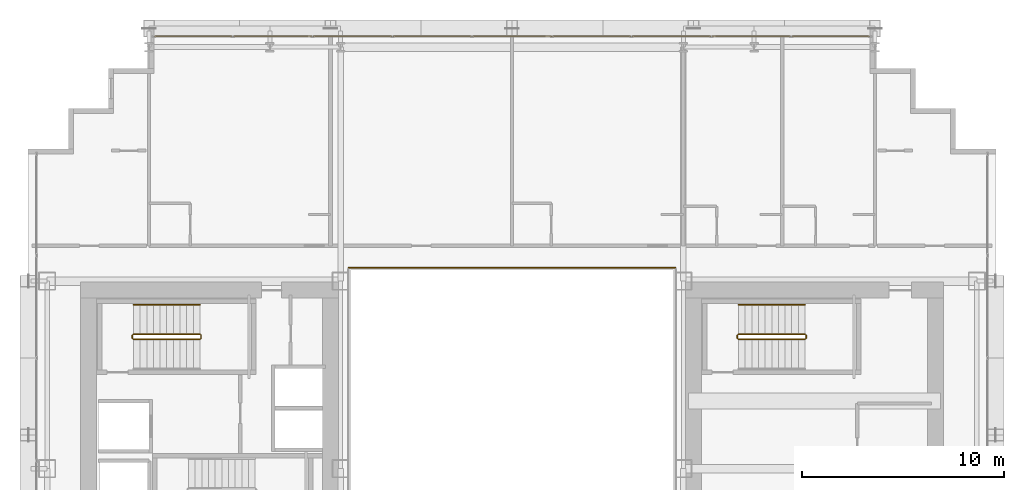
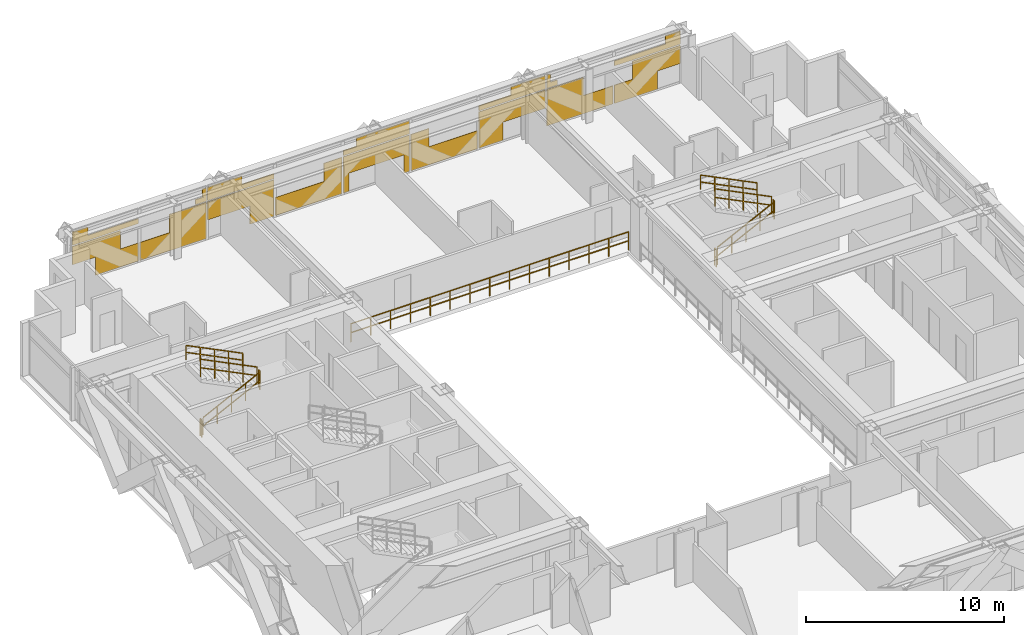
# One storey, part 35 of 35: 11 railings, 1 covering.
"""IFC4 building model written with IfcOpenShell, lengths in metres."""

from ifc_helpers import new_model, si_unit, direction, frame, origin, origin_2d, place, context, subcontext, project, spatial, rectangle, extrude, material, layer, layer_set, type_object, element, save


model = new_model("IFC4")

# Units and contexts
model_context = context("Model", 3, precision=1e-05, world=origin(), true_north=direction((0.0, 1.0)))
body_context = subcontext(model_context, "Body", "Model", "MODEL_VIEW")
ifc_project = project(units=[si_unit("LENGTHUNIT", "METRE"), si_unit("AREAUNIT", "SQUARE_METRE"), si_unit("VOLUMEUNIT", "CUBIC_METRE"), si_unit("PLANEANGLEUNIT", "RADIAN"), si_unit("MASSUNIT", "GRAM", prefix="KILO")], contexts=[model_context])

# Site, building, storey
site_placement = place(None, origin())
site = spatial("IfcSite", under=ifc_project, at=site_placement, CompositionType="ELEMENT")
building_placement = place(site_placement, origin())
building = spatial("IfcBuilding", under=site, at=building_placement, Name="Ocotamira Hotel", CompositionType="ELEMENT")
storey_placement = place(building_placement, frame((0.0, 0.0, 81.60009765625)))
storey = spatial("IfcBuildingStorey", under=building, at=storey_placement, Name="L20", CompositionType="ELEMENT", Elevation=81.60009765625)

# Covering
ifc_material_1 = material(Name="Insulated pale-metal aluminium spandrel panel", Category="aluminium")
ifc_layer = layer(ifc_material_1, 0.044921875)
ifc_layer_set = layer_set([ifc_layer], Name="Insulated pale-metal aluminium spandrel panel")
covering_type = type_object("IfcCoveringType", Name="COV-INFILL-45", PredefinedType="CLADDING", material=ifc_layer_set)
covering_placement = place(storey_placement, origin())
element("IfcCovering", 1, at=covering_placement, inside=storey, type_object=covering_type, Name="L20 Curtain Wall Infill CW-2 CW-L20-N", PredefinedType="CLADDING", context=body_context, shape_type="SweptSolid", body=[
    extrude(rectangle(XDim=2.788818359375, YDim=0.044921875, at=origin_2d()), frame((15.675048828125, 49.580078125, 1.194091796875), z_axis=(0.0, 0.0, 1.0), x_axis=(1.0, 0.0, 0.0)), (0.0, 0.0, 1.0), 1.11767578125),
    extrude(rectangle(XDim=2.502685546875, YDim=0.044921875, at=origin_2d()), frame((16.863525390625, 49.580078125, 0.0751953125), z_axis=(0.0, 0.0, 1.0), x_axis=(1.0, 0.0, 0.0)), (0.0, 0.0, 1.0), 1.117919921875),
    extrude(rectangle(XDim=3.834716796875, YDim=0.044921875, at=origin_2d()), frame((16.19775390625, 49.580078125, 2.3876953125), z_axis=(0.0, 0.0, 1.0), x_axis=(1.0, 0.0, 0.0)), (0.0, 0.0, 1.0), 0.302978515625),
    extrude(rectangle(XDim=0.8798828125, YDim=0.044921875, at=origin_2d()), frame((14.720458984375, 49.580078125, 2.691650390625), z_axis=(0.0, 0.0, 1.0), x_axis=(1.0, 0.0, 0.0)), (0.0, 0.0, 1.0), 0.5126953125),
    extrude(rectangle(XDim=3.87451171875, YDim=0.044921875, at=origin_2d()), frame((20.13330078125, 49.580078125, 0.0751953125), z_axis=(0.0, 0.0, 1.0), x_axis=(1.0, 0.0, 0.0)), (0.0, 0.0, 1.0), 1.117919921875),
    extrude(rectangle(XDim=2.139892578125, YDim=0.044921875, at=origin_2d()), frame((21.00048828125, 49.580078125, 1.194091796875), z_axis=(0.0, 0.0, 1.0), x_axis=(1.0, 0.0, 0.0)), (0.0, 0.0, 1.0), 1.11767578125),
    extrude(rectangle(XDim=0.618408203125, YDim=0.044921875, at=origin_2d()), frame((21.761474609375, 49.580078125, 2.3876953125), z_axis=(0.0, 0.0, 1.0), x_axis=(1.0, 0.0, 0.0)), (0.0, 0.0, 1.0), 0.302978515625),
    extrude(rectangle(XDim=0.23095703125, YDim=0.044921875, at=origin_2d()), frame((21.955078125, 49.580078125, 2.691650390625), z_axis=(0.0, 0.0, 1.0), x_axis=(1.0, 0.0, 0.0)), (0.0, 0.0, 1.0), 0.5126953125),
    extrude(rectangle(XDim=3.87451171875, YDim=0.044921875, at=origin_2d()), frame((24.0888671875, 49.580078125, 1.194091796875), z_axis=(0.0, 0.0, 1.0), x_axis=(1.0, 0.0, 0.0)), (0.0, 0.0, 1.0), 1.11767578125),
    extrude(rectangle(XDim=1.413818359375, YDim=0.044921875, at=origin_2d()), frame((25.319091796875, 49.580078125, 0.0751953125), z_axis=(0.0, 0.0, 1.0), x_axis=(1.0, 0.0, 0.0)), (0.0, 0.0, 1.0), 1.117919921875),
    extrude(rectangle(XDim=3.87451171875, YDim=0.044921875, at=origin_2d()), frame((24.0888671875, 49.580078125, 2.3876953125), z_axis=(0.0, 0.0, 1.0), x_axis=(1.0, 0.0, 0.0)), (0.0, 0.0, 1.0), 0.302978515625),
    extrude(rectangle(XDim=2.0087890625, YDim=0.044921875, at=origin_2d()), frame((23.156005859375, 49.580078125, 2.691650390625), z_axis=(0.0, 0.0, 1.0), x_axis=(1.0, 0.0, 0.0)), (0.0, 0.0, 1.0), 0.5126953125),
    extrude(rectangle(XDim=3.87451171875, YDim=0.044921875, at=origin_2d()), frame((28.04443359375, 49.580078125, 0.0751953125), z_axis=(0.0, 0.0, 1.0), x_axis=(1.0, 0.0, 0.0)), (0.0, 0.0, 1.0), 1.117919921875),
    extrude(rectangle(XDim=1.051025390625, YDim=0.044921875, at=origin_2d()), frame((29.4560546875, 49.580078125, 1.194091796875), z_axis=(0.0, 0.0, 1.0), x_axis=(1.0, 0.0, 0.0)), (0.0, 0.0, 1.0), 1.11767578125),
    extrude(rectangle(XDim=0.324951171875, YDim=0.044921875, at=origin_2d()), frame((30.22509765625, 49.580078125, 0.0751953125), z_axis=(0.0, 0.0, 1.0), x_axis=(1.0, 0.0, 0.0)), (0.0, 0.0, 1.0), 1.117919921875),
    extrude(rectangle(XDim=3.87451171875, YDim=0.044921875, at=origin_2d()), frame((32.0, 49.580078125, 1.194091796875), z_axis=(0.0, 0.0, 1.0), x_axis=(1.0, 0.0, 0.0)), (0.0, 0.0, 1.0), 1.11767578125),
    extrude(rectangle(XDim=0.324951171875, YDim=0.044921875, at=origin_2d()), frame((33.77490234375, 49.580078125, 0.0751953125), z_axis=(0.0, 0.0, 1.0), x_axis=(1.0, 0.0, 0.0)), (0.0, 0.0, 1.0), 1.117919921875),
    extrude(rectangle(XDim=3.87451171875, YDim=0.044921875, at=origin_2d()), frame((32.0, 49.580078125, 2.3876953125), z_axis=(0.0, 0.0, 1.0), x_axis=(1.0, 0.0, 0.0)), (0.0, 0.0, 1.0), 0.302978515625),
    extrude(rectangle(XDim=3.09765625, YDim=0.044921875, at=origin_2d()), frame((32.388427734375, 49.580078125, 2.691650390625), z_axis=(0.0, 0.0, 1.0), x_axis=(1.0, 0.0, 0.0)), (0.0, 0.0, 1.0), 0.5126953125),
    extrude(rectangle(XDim=3.87451171875, YDim=0.044921875, at=origin_2d()), frame((35.95556640625, 49.580078125, 0.0751953125), z_axis=(0.0, 0.0, 1.0), x_axis=(1.0, 0.0, 0.0)), (0.0, 0.0, 1.0), 1.117919921875),
    extrude(rectangle(XDim=1.051025390625, YDim=0.044921875, at=origin_2d()), frame((34.5439453125, 49.580078125, 1.194091796875), z_axis=(0.0, 0.0, 1.0), x_axis=(1.0, 0.0, 0.0)), (0.0, 0.0, 1.0), 1.11767578125),
    extrude(rectangle(XDim=1.413818359375, YDim=0.044921875, at=origin_2d()), frame((38.680908203125, 49.580078125, 0.0751953125), z_axis=(0.0, 0.0, 1.0), x_axis=(1.0, 0.0, 0.0)), (0.0, 0.0, 1.0), 1.117919921875),
    extrude(rectangle(XDim=3.87451171875, YDim=0.044921875, at=origin_2d()), frame((39.9111328125, 49.580078125, 1.194091796875), z_axis=(0.0, 0.0, 1.0), x_axis=(1.0, 0.0, 0.0)), (0.0, 0.0, 1.0), 1.11767578125),
    extrude(rectangle(XDim=3.87451171875, YDim=0.044921875, at=origin_2d()), frame((39.9111328125, 49.580078125, 2.3876953125), z_axis=(0.0, 0.0, 1.0), x_axis=(1.0, 0.0, 0.0)), (0.0, 0.0, 1.0), 0.302978515625),
    extrude(rectangle(XDim=2.0087890625, YDim=0.044921875, at=origin_2d()), frame((40.843994140625, 49.580078125, 2.691650390625), z_axis=(0.0, 0.0, 1.0), x_axis=(1.0, 0.0, 0.0)), (0.0, 0.0, 1.0), 0.5126953125),
    extrude(rectangle(XDim=3.87451171875, YDim=0.044921875, at=origin_2d()), frame((43.86669921875, 49.580078125, 0.0751953125), z_axis=(0.0, 0.0, 1.0), x_axis=(1.0, 0.0, 0.0)), (0.0, 0.0, 1.0), 1.117919921875),
    extrude(rectangle(XDim=2.139892578125, YDim=0.044921875, at=origin_2d()), frame((42.99951171875, 49.580078125, 1.194091796875), z_axis=(0.0, 0.0, 1.0), x_axis=(1.0, 0.0, 0.0)), (0.0, 0.0, 1.0), 1.11767578125),
    extrude(rectangle(XDim=0.618408203125, YDim=0.044921875, at=origin_2d()), frame((42.238525390625, 49.580078125, 2.3876953125), z_axis=(0.0, 0.0, 1.0), x_axis=(1.0, 0.0, 0.0)), (0.0, 0.0, 1.0), 0.302978515625),
    extrude(rectangle(XDim=0.23095703125, YDim=0.044921875, at=origin_2d()), frame((42.044921875, 49.580078125, 2.691650390625), z_axis=(0.0, 0.0, 1.0), x_axis=(1.0, 0.0, 0.0)), (0.0, 0.0, 1.0), 0.5126953125),
    extrude(rectangle(XDim=2.502685546875, YDim=0.044921875, at=origin_2d()), frame((47.136474609375, 49.580078125, 0.0751953125), z_axis=(0.0, 0.0, 1.0), x_axis=(1.0, 0.0, 0.0)), (0.0, 0.0, 1.0), 1.117919921875),
    extrude(rectangle(XDim=2.788818359375, YDim=0.044921875, at=origin_2d()), frame((48.324951171875, 49.580078125, 1.194091796875), z_axis=(0.0, 0.0, 1.0), x_axis=(1.0, 0.0, 0.0)), (0.0, 0.0, 1.0), 1.11767578125),
    extrude(rectangle(XDim=3.834716796875, YDim=0.044921875, at=origin_2d()), frame((47.80224609375, 49.580078125, 2.3876953125), z_axis=(0.0, 0.0, 1.0), x_axis=(1.0, 0.0, 0.0)), (0.0, 0.0, 1.0), 0.302978515625),
    extrude(rectangle(XDim=0.8798828125, YDim=0.044921875, at=origin_2d()), frame((49.279541015625, 49.580078125, 2.691650390625), z_axis=(0.0, 0.0, 1.0), x_axis=(1.0, 0.0, 0.0)), (0.0, 0.0, 1.0), 0.5126953125),
])

# Railings
ifc_material_2 = material(Name="Painted steel stair guardrail", Category="steel")
railing_type_1 = type_object("IfcRailingType", Name="RL-EDGE-1150", PredefinedType="GUARDRAIL", material=ifc_material_2)
railing_1_placement = place(storey_placement, frame((40.10009765625, 38.1201171875, 0.0)))
element("IfcRailing", 2, at=railing_1_placement, inside=storey, type_object=railing_type_1, Name="L20 Central Atrium Edge Guardrail N", PredefinedType="GUARDRAIL", context=body_context, shape_type="SweptSolid", body=[
    extrude(rectangle(XDim=0.048095703125, YDim=0.048095703125, at=origin_2d()), frame((0.0, 0.0, 1.1259765625), z_axis=(-1.0, 0.0, 0.0), x_axis=(0.0, -1.0, 0.0)), (0.0, 0.0, 1.0), 16.2001953125),
    extrude(rectangle(XDim=0.048095703125, YDim=0.048095703125, at=origin_2d()), frame((0.0, 0.0, 0.574951171875), z_axis=(-1.0, 0.0, 0.0), x_axis=(0.0, -1.0, 0.0)), (0.0, 0.0, 1.0), 16.2001953125),
    extrude(rectangle(XDim=0.0419921875, YDim=0.0419921875, at=origin_2d()), origin(), (0.0, 0.0, 1.0), 1.101806640625),
    extrude(rectangle(XDim=0.0419921875, YDim=0.0419921875, at=origin_2d()), frame((-1.1572265625, 0.0, 0.0)), (0.0, 0.0, 1.0), 1.101806640625),
    extrude(rectangle(XDim=0.0419921875, YDim=0.0419921875, at=origin_2d()), frame((-2.314208984375, 0.0, 0.0)), (0.0, 0.0, 1.0), 1.101806640625),
    extrude(rectangle(XDim=0.0419921875, YDim=0.0419921875, at=origin_2d()), frame((-3.471435546875, 0.0, 0.0)), (0.0, 0.0, 1.0), 1.101806640625),
    extrude(rectangle(XDim=0.0419921875, YDim=0.0419921875, at=origin_2d()), frame((-4.628662109375, 0.0, 0.0)), (0.0, 0.0, 1.0), 1.101806640625),
    extrude(rectangle(XDim=0.0419921875, YDim=0.0419921875, at=origin_2d()), frame((-5.785888671875, 0.0, 0.0)), (0.0, 0.0, 1.0), 1.101806640625),
    extrude(rectangle(XDim=0.0419921875, YDim=0.0419921875, at=origin_2d()), frame((-6.94287109375, 0.0, 0.0)), (0.0, 0.0, 1.0), 1.101806640625),
    extrude(rectangle(XDim=0.0419921875, YDim=0.0419921875, at=origin_2d()), frame((-8.10009765625, 0.0, 0.0)), (0.0, 0.0, 1.0), 1.101806640625),
    extrude(rectangle(XDim=0.0419921875, YDim=0.0419921875, at=origin_2d()), frame((-9.25732421875, 0.0, 0.0)), (0.0, 0.0, 1.0), 1.101806640625),
    extrude(rectangle(XDim=0.0419921875, YDim=0.0419921875, at=origin_2d()), frame((-10.414306640625, 0.0, 0.0)), (0.0, 0.0, 1.0), 1.101806640625),
    extrude(rectangle(XDim=0.0419921875, YDim=0.0419921875, at=origin_2d()), frame((-11.571533203125, 0.0, 0.0)), (0.0, 0.0, 1.0), 1.101806640625),
    extrude(rectangle(XDim=0.0419921875, YDim=0.0419921875, at=origin_2d()), frame((-12.728759765625, 0.0, 0.0)), (0.0, 0.0, 1.0), 1.101806640625),
    extrude(rectangle(XDim=0.0419921875, YDim=0.0419921875, at=origin_2d()), frame((-13.885986328125, 0.0, 0.0)), (0.0, 0.0, 1.0), 1.101806640625),
    extrude(rectangle(XDim=0.0419921875, YDim=0.0419921875, at=origin_2d()), frame((-15.04296875, 0.0, 0.0)), (0.0, 0.0, 1.0), 1.101806640625),
    extrude(rectangle(XDim=0.0419921875, YDim=0.0419921875, at=origin_2d()), frame((-16.2001953125, 0.0, 0.0)), (0.0, 0.0, 1.0), 1.101806640625),
])
ifc_material_3 = material(Name="Brushed stainless steel handrail", Category="steel")
railing_type_2 = type_object("IfcRailingType", Name="RL-HAND-900", PredefinedType="HANDRAIL", material=ifc_material_3)
for number, where, name in (
    (3, (16.530029296875, 36.280029296875, 2.127197265625), "L20 ST-2 stair handrail 2"),
    (4, (46.530029296875, 36.280029296875, 2.127197265625), "L20 ST-4 stair handrail 2"),
):
    element("IfcRailing", number, at=place(storey_placement, frame(where)), inside=storey, type_object=railing_type_2, Name=name, PredefinedType="HANDRAIL", context=body_context, shape_type="SweptSolid", body=[
        extrude(rectangle(XDim=0.048095703125, YDim=0.048095703125, at=origin_2d()), frame((0.0, 0.0, 0.8759765625), z_axis=(-0.895920123917, 0.0, 0.444215186098), x_axis=(0.0, -1.0, 0.0)), (0.0, 0.0, 1.0), 3.683349609375),
        extrude(rectangle(XDim=0.048095703125, YDim=0.048095703125, at=origin_2d()), frame((0.0, 0.0, 0.449951171875), z_axis=(-0.895920123917, 0.0, 0.444215186098), x_axis=(0.0, -1.0, 0.0)), (0.0, 0.0, 1.0), 3.683349609375),
        extrude(rectangle(XDim=0.0419921875, YDim=0.0419921875, at=origin_2d()), origin(), (0.0, 0.0, 1.0), 0.851806640625),
        extrude(rectangle(XDim=0.0419921875, YDim=0.0419921875, at=origin_2d()), frame((-0.824951171875, 0.0, 0.4091796875)), (0.0, 0.0, 1.0), 0.851806640625),
        extrude(rectangle(XDim=0.0419921875, YDim=0.0419921875, at=origin_2d()), frame((-1.64990234375, 0.0, 0.818115234375)), (0.0, 0.0, 1.0), 0.851806640625),
        extrude(rectangle(XDim=0.0419921875, YDim=0.0419921875, at=origin_2d()), frame((-2.47509765625, 0.0, 1.22705078125)), (0.0, 0.0, 1.0), 0.851806640625),
        extrude(rectangle(XDim=0.0419921875, YDim=0.0419921875, at=origin_2d()), frame((-3.300048828125, 0.0, 1.63623046875)), (0.0, 0.0, 1.0), 0.851806640625),
    ])
railing_type_3 = type_object("IfcRailingType", Name="RL-STAIR-1100", PredefinedType="GUARDRAIL", material=ifc_material_2)
railing_2_placement = place(storey_placement, frame((13.22998046875, 34.56005859375, 0.16357421875)))
element("IfcRailing", 5, at=railing_2_placement, inside=storey, type_object=railing_type_3, Name="L20 ST-2 stair guard 1", PredefinedType="GUARDRAIL", context=body_context, shape_type="SweptSolid", body=[
    extrude(rectangle(XDim=0.048095703125, YDim=0.048095703125, at=origin_2d()), frame((0.0, 0.0, 1.076171875), z_axis=(0.895920123917, 0.0, 0.444215186098), x_axis=(0.0, 1.0, 0.0)), (0.0, 0.0, 1.0), 3.683349609375),
    extrude(rectangle(XDim=0.048095703125, YDim=0.048095703125, at=origin_2d()), frame((0.0, 0.0, 0.550048828125), z_axis=(0.895920123917, 0.0, 0.444215186098), x_axis=(0.0, 1.0, 0.0)), (0.0, 0.0, 1.0), 3.683349609375),
    extrude(rectangle(XDim=0.0419921875, YDim=0.0419921875, at=origin_2d()), origin(), (0.0, 0.0, 1.0), 1.052001953125),
    extrude(rectangle(XDim=0.0419921875, YDim=0.0419921875, at=origin_2d()), frame((0.824951171875, 0.0, 0.4091796875)), (0.0, 0.0, 1.0), 1.052001953125),
    extrude(rectangle(XDim=0.0419921875, YDim=0.0419921875, at=origin_2d()), frame((1.64990234375, 0.0, 0.818115234375)), (0.0, 0.0, 1.0), 1.052001953125),
    extrude(rectangle(XDim=0.0419921875, YDim=0.0419921875, at=origin_2d()), frame((2.47509765625, 0.0, 1.22705078125)), (0.0, 0.0, 1.0), 1.052001953125),
    extrude(rectangle(XDim=0.0419921875, YDim=0.0419921875, at=origin_2d()), frame((3.300048828125, 0.0, 1.63623046875)), (0.0, 0.0, 1.0), 1.052001953125),
])
railing_3_placement = place(storey_placement, frame((16.580078125, 34.610107421875, 1.7998046875)))
element("IfcRailing", 6, at=railing_3_placement, inside=storey, type_object=railing_type_3, Name="L20 ST-2 stair guard 2", PredefinedType="GUARDRAIL", context=body_context, shape_type="SweptSolid", body=[
    extrude(rectangle(XDim=0.048095703125, YDim=0.048095703125, at=origin_2d()), frame((0.0, 0.0, 1.076171875), z_axis=(0.0, 1.0, 0.0), x_axis=(-1.0, 0.0, 0.0)), (0.0, 0.0, 1.0), 0.159912109375),
    extrude(rectangle(XDim=0.048095703125, YDim=0.048095703125, at=origin_2d()), frame((0.0, 0.0, 0.550048828125), z_axis=(0.0, 1.0, 0.0), x_axis=(-1.0, 0.0, 0.0)), (0.0, 0.0, 1.0), 0.159912109375),
    extrude(rectangle(XDim=0.0419921875, YDim=0.0419921875, at=origin_2d()), origin(), (0.0, 0.0, 1.0), 1.052001953125),
    extrude(rectangle(XDim=0.0419921875, YDim=0.0419921875, at=origin_2d()), frame((0.0, 0.159912109375, 0.0)), (0.0, 0.0, 1.0), 1.052001953125),
])
railing_4_placement = place(storey_placement, frame((16.530029296875, 34.820068359375, 1.963623046875)))
element("IfcRailing", 7, at=railing_4_placement, inside=storey, type_object=railing_type_3, Name="L20 ST-2 stair guard 3", PredefinedType="GUARDRAIL", context=body_context, shape_type="SweptSolid", body=[
    extrude(rectangle(XDim=0.048095703125, YDim=0.048095703125, at=origin_2d()), frame((0.0, 0.0, 1.076171875), z_axis=(-0.895920123917, 0.0, 0.444215186098), x_axis=(0.0, -1.0, 0.0)), (0.0, 0.0, 1.0), 3.683349609375),
    extrude(rectangle(XDim=0.048095703125, YDim=0.048095703125, at=origin_2d()), frame((0.0, 0.0, 0.550048828125), z_axis=(-0.895920123917, 0.0, 0.444215186098), x_axis=(0.0, -1.0, 0.0)), (0.0, 0.0, 1.0), 3.683349609375),
    extrude(rectangle(XDim=0.0419921875, YDim=0.0419921875, at=origin_2d()), origin(), (0.0, 0.0, 1.0), 1.052001953125),
    extrude(rectangle(XDim=0.0419921875, YDim=0.0419921875, at=origin_2d()), frame((-0.824951171875, 0.0, 0.4091796875)), (0.0, 0.0, 1.0), 1.052001953125),
    extrude(rectangle(XDim=0.0419921875, YDim=0.0419921875, at=origin_2d()), frame((-1.64990234375, 0.0, 0.818115234375)), (0.0, 0.0, 1.0), 1.052001953125),
    extrude(rectangle(XDim=0.0419921875, YDim=0.0419921875, at=origin_2d()), frame((-2.47509765625, 0.0, 1.22705078125)), (0.0, 0.0, 1.0), 1.052001953125),
    extrude(rectangle(XDim=0.0419921875, YDim=0.0419921875, at=origin_2d()), frame((-3.300048828125, 0.0, 1.63623046875)), (0.0, 0.0, 1.0), 1.052001953125),
])
railing_5_placement = place(storey_placement, frame((13.179931640625, 34.610107421875, 0.0)))
element("IfcRailing", 8, at=railing_5_placement, inside=storey, type_object=railing_type_3, Name="L20 ST-2 stair guard 4", PredefinedType="GUARDRAIL", context=body_context, shape_type="SweptSolid", body=[
    extrude(rectangle(XDim=0.048095703125, YDim=0.048095703125, at=origin_2d()), frame((0.0, 0.0, 1.076171875), z_axis=(0.0, 1.0, 0.0), x_axis=(-1.0, 0.0, 0.0)), (0.0, 0.0, 1.0), 0.159912109375),
    extrude(rectangle(XDim=0.048095703125, YDim=0.048095703125, at=origin_2d()), frame((0.0, 0.0, 0.550048828125), z_axis=(0.0, 1.0, 0.0), x_axis=(-1.0, 0.0, 0.0)), (0.0, 0.0, 1.0), 0.159912109375),
    extrude(rectangle(XDim=0.0419921875, YDim=0.0419921875, at=origin_2d()), origin(), (0.0, 0.0, 1.0), 1.052001953125),
    extrude(rectangle(XDim=0.0419921875, YDim=0.0419921875, at=origin_2d()), frame((0.0, 0.159912109375, 0.0)), (0.0, 0.0, 1.0), 1.052001953125),
])
railing_6_placement = place(storey_placement, frame((43.22998046875, 34.56005859375, 0.16357421875)))
element("IfcRailing", 9, at=railing_6_placement, inside=storey, type_object=railing_type_3, Name="L20 ST-4 stair guard 1", PredefinedType="GUARDRAIL", context=body_context, shape_type="SweptSolid", body=[
    extrude(rectangle(XDim=0.048095703125, YDim=0.048095703125, at=origin_2d()), frame((0.0, 0.0, 1.076171875), z_axis=(0.895920123917, 0.0, 0.444215186098), x_axis=(0.0, 1.0, 0.0)), (0.0, 0.0, 1.0), 3.683349609375),
    extrude(rectangle(XDim=0.048095703125, YDim=0.048095703125, at=origin_2d()), frame((0.0, 0.0, 0.550048828125), z_axis=(0.895920123917, 0.0, 0.444215186098), x_axis=(0.0, 1.0, 0.0)), (0.0, 0.0, 1.0), 3.683349609375),
    extrude(rectangle(XDim=0.0419921875, YDim=0.0419921875, at=origin_2d()), origin(), (0.0, 0.0, 1.0), 1.052001953125),
    extrude(rectangle(XDim=0.0419921875, YDim=0.0419921875, at=origin_2d()), frame((0.824951171875, 0.0, 0.4091796875)), (0.0, 0.0, 1.0), 1.052001953125),
    extrude(rectangle(XDim=0.0419921875, YDim=0.0419921875, at=origin_2d()), frame((1.64990234375, 0.0, 0.818115234375)), (0.0, 0.0, 1.0), 1.052001953125),
    extrude(rectangle(XDim=0.0419921875, YDim=0.0419921875, at=origin_2d()), frame((2.47509765625, 0.0, 1.22705078125)), (0.0, 0.0, 1.0), 1.052001953125),
    extrude(rectangle(XDim=0.0419921875, YDim=0.0419921875, at=origin_2d()), frame((3.300048828125, 0.0, 1.63623046875)), (0.0, 0.0, 1.0), 1.052001953125),
])
railing_7_placement = place(storey_placement, frame((46.580078125, 34.610107421875, 1.7998046875)))
element("IfcRailing", 10, at=railing_7_placement, inside=storey, type_object=railing_type_3, Name="L20 ST-4 stair guard 2", PredefinedType="GUARDRAIL", context=body_context, shape_type="SweptSolid", body=[
    extrude(rectangle(XDim=0.048095703125, YDim=0.048095703125, at=origin_2d()), frame((0.0, 0.0, 1.076171875), z_axis=(0.0, 1.0, 0.0), x_axis=(-1.0, 0.0, 0.0)), (0.0, 0.0, 1.0), 0.159912109375),
    extrude(rectangle(XDim=0.048095703125, YDim=0.048095703125, at=origin_2d()), frame((0.0, 0.0, 0.550048828125), z_axis=(0.0, 1.0, 0.0), x_axis=(-1.0, 0.0, 0.0)), (0.0, 0.0, 1.0), 0.159912109375),
    extrude(rectangle(XDim=0.0419921875, YDim=0.0419921875, at=origin_2d()), origin(), (0.0, 0.0, 1.0), 1.052001953125),
    extrude(rectangle(XDim=0.0419921875, YDim=0.0419921875, at=origin_2d()), frame((0.0, 0.159912109375, 0.0)), (0.0, 0.0, 1.0), 1.052001953125),
])
railing_8_placement = place(storey_placement, frame((46.530029296875, 34.820068359375, 1.963623046875)))
element("IfcRailing", 11, at=railing_8_placement, inside=storey, type_object=railing_type_3, Name="L20 ST-4 stair guard 3", PredefinedType="GUARDRAIL", context=body_context, shape_type="SweptSolid", body=[
    extrude(rectangle(XDim=0.048095703125, YDim=0.048095703125, at=origin_2d()), frame((0.0, 0.0, 1.076171875), z_axis=(-0.895920123917, 0.0, 0.444215186098), x_axis=(0.0, -1.0, 0.0)), (0.0, 0.0, 1.0), 3.683349609375),
    extrude(rectangle(XDim=0.048095703125, YDim=0.048095703125, at=origin_2d()), frame((0.0, 0.0, 0.550048828125), z_axis=(-0.895920123917, 0.0, 0.444215186098), x_axis=(0.0, -1.0, 0.0)), (0.0, 0.0, 1.0), 3.683349609375),
    extrude(rectangle(XDim=0.0419921875, YDim=0.0419921875, at=origin_2d()), origin(), (0.0, 0.0, 1.0), 1.052001953125),
    extrude(rectangle(XDim=0.0419921875, YDim=0.0419921875, at=origin_2d()), frame((-0.824951171875, 0.0, 0.4091796875)), (0.0, 0.0, 1.0), 1.052001953125),
    extrude(rectangle(XDim=0.0419921875, YDim=0.0419921875, at=origin_2d()), frame((-1.64990234375, 0.0, 0.818115234375)), (0.0, 0.0, 1.0), 1.052001953125),
    extrude(rectangle(XDim=0.0419921875, YDim=0.0419921875, at=origin_2d()), frame((-2.47509765625, 0.0, 1.22705078125)), (0.0, 0.0, 1.0), 1.052001953125),
    extrude(rectangle(XDim=0.0419921875, YDim=0.0419921875, at=origin_2d()), frame((-3.300048828125, 0.0, 1.63623046875)), (0.0, 0.0, 1.0), 1.052001953125),
])
railing_9_placement = place(storey_placement, frame((43.179931640625, 34.610107421875, 0.0)))
element("IfcRailing", 12, at=railing_9_placement, inside=storey, type_object=railing_type_3, Name="L20 ST-4 stair guard 4", PredefinedType="GUARDRAIL", context=body_context, shape_type="SweptSolid", body=[
    extrude(rectangle(XDim=0.048095703125, YDim=0.048095703125, at=origin_2d()), frame((0.0, 0.0, 1.076171875), z_axis=(0.0, 1.0, 0.0), x_axis=(-1.0, 0.0, 0.0)), (0.0, 0.0, 1.0), 0.159912109375),
    extrude(rectangle(XDim=0.048095703125, YDim=0.048095703125, at=origin_2d()), frame((0.0, 0.0, 0.550048828125), z_axis=(0.0, 1.0, 0.0), x_axis=(-1.0, 0.0, 0.0)), (0.0, 0.0, 1.0), 0.159912109375),
    extrude(rectangle(XDim=0.0419921875, YDim=0.0419921875, at=origin_2d()), origin(), (0.0, 0.0, 1.0), 1.052001953125),
    extrude(rectangle(XDim=0.0419921875, YDim=0.0419921875, at=origin_2d()), frame((0.0, 0.159912109375, 0.0)), (0.0, 0.0, 1.0), 1.052001953125),
])

save(model, "model.ifc")
